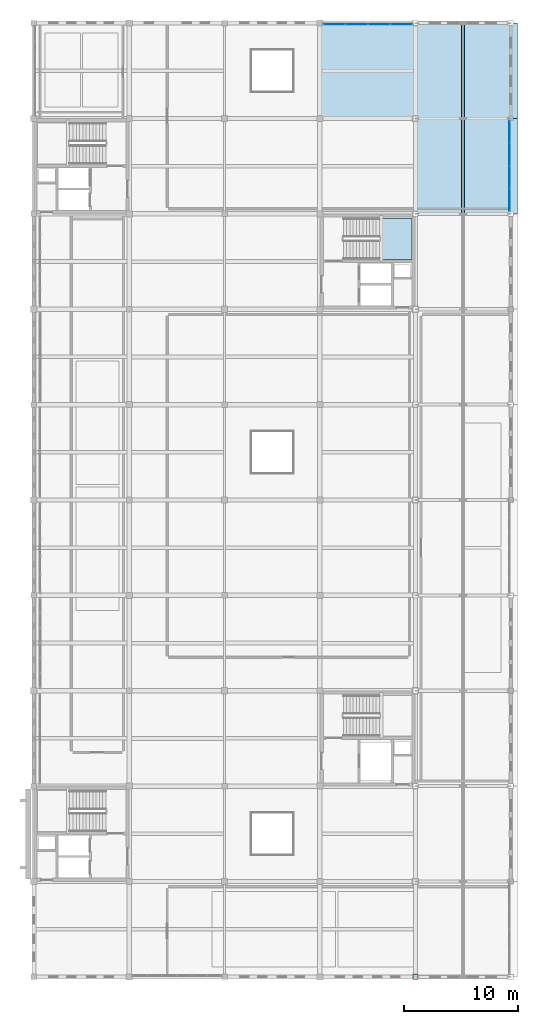
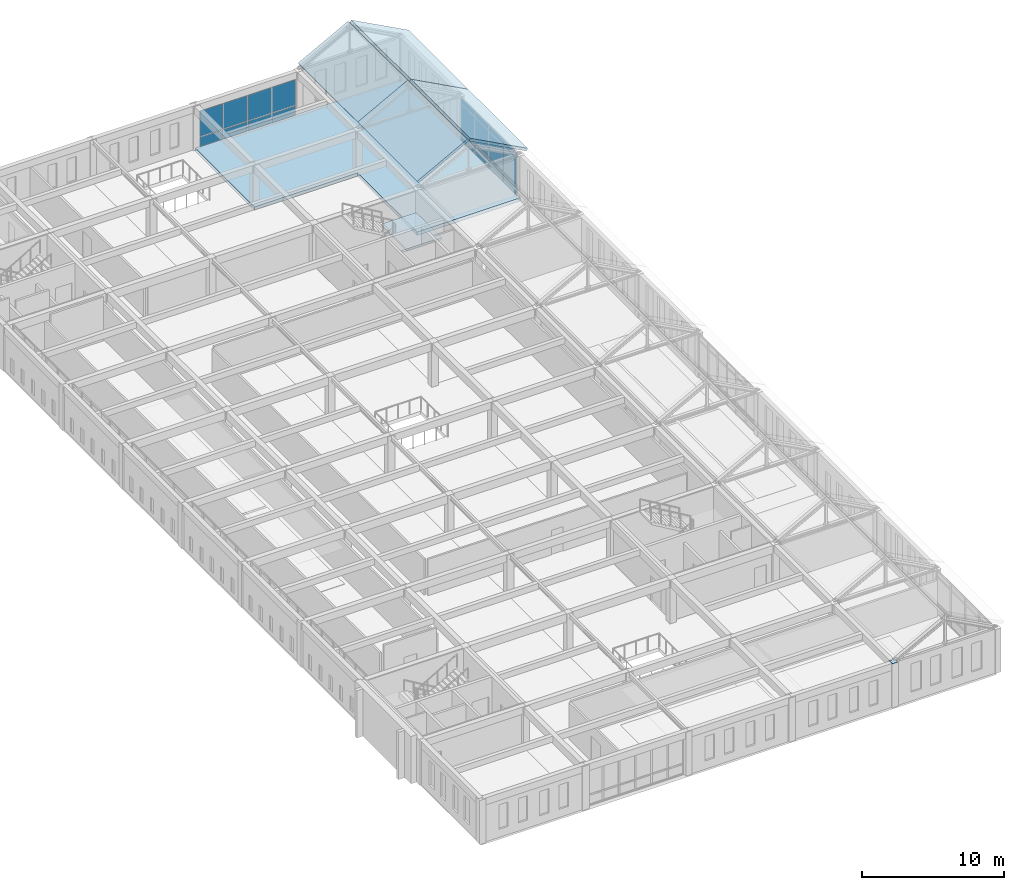
# One storey, part 22 of 36: 21 plates, 6 slabs, 3 elements without a shape of their own.
"""IFC4 building model written with IfcOpenShell, lengths in metres."""

from ifc_helpers import new_model, si_unit, direction, frame, origin, origin_2d, place, context, subcontext, project, spatial, polyline, rectangle, outline, extrude, material, layer, layer_set, type_object, element, aggregate, save


model = new_model("IFC4")

# Units and contexts
model_context = context("Model", 3, precision=1e-05, world=origin(), true_north=direction((0.0, 1.0)))
body_context = subcontext(model_context, "Body", "Model", "MODEL_VIEW")
ifc_project = project(units=[si_unit("LENGTHUNIT", "METRE"), si_unit("AREAUNIT", "SQUARE_METRE"), si_unit("VOLUMEUNIT", "CUBIC_METRE"), si_unit("PLANEANGLEUNIT", "RADIAN"), si_unit("MASSUNIT", "GRAM", prefix="KILO")], contexts=[model_context])

# Site, building, storey
site_placement = place(None, origin())
site = spatial("IfcSite", under=ifc_project, at=site_placement, CompositionType="ELEMENT")
building_placement = place(site_placement, origin())
building = spatial("IfcBuilding", under=site, at=building_placement, Name="Kveldsbrygga Polytechnic", CompositionType="ELEMENT")
storey_placement = place(building_placement, frame((0.0, 0.0, 22.10009765625)))
storey = spatial("IfcBuildingStorey", under=building, at=storey_placement, Name="L05", CompositionType="ELEMENT", Elevation=22.10009765625)

# Plate
ifc_material_1 = material(Name="Steel S355", Category="steel")
ifc_layer_1 = layer(ifc_material_1, 0.030029296875)
ifc_layer_set_1 = layer_set([ifc_layer_1], Name="Steel S355")
plate_type_1 = type_object("IfcPlateType", Name="CAP-BEAR-450", PredefinedType="SHEET", material=ifc_layer_set_1)
plate_1_placement = place(storey_placement, frame((159.60009765625, 16.800048828125, 3.75), z_axis=(0.0, 0.0, 1.0), x_axis=(1.0, 0.0, 0.0)))
element("IfcPlate", 1, at=plate_1_placement, inside=storey, type_object=plate_type_1, Name="Truss Bearing Plate V4E6-T01-A", PredefinedType="SHEET", context=body_context, shape_type="SweptSolid", body=[
    extrude(rectangle(XDim=0.449951171875, YDim=0.449951171875, at=origin_2d()), origin(), (0.0, 0.0, 1.0), 0.030029296875),
])

# Curtain wall, plates
ifc_material_2 = material(Name="Anodised aluminium AW-6060", Category="aluminium")
ifc_layer_2 = layer(ifc_material_2, 0.199951171875)
ifc_layer_set_2 = layer_set([ifc_layer_2], Name="Anodised aluminium AW-6060")
curtain_wall_type = type_object("IfcCurtainWallType", Name="CW-LANC-E", PredefinedType="USERDEFINED", material=ifc_layer_set_2)
curtain_wall_1_placement = place(storey_placement, origin())
curtain_wall_1 = element("IfcCurtainWall", 2, at=curtain_wall_1_placement, inside=storey, type_object=curtain_wall_type, Name="Curtain Wall CW-L05-X-18-12", ObjectType="UNITISED CURTAIN WALL", PredefinedType="USERDEFINED")
ifc_material_3 = material(Name="Insulated triple low-E glass", Category="glass")
ifc_layer_3 = layer(ifc_material_3, 0.0419921875)
ifc_layer_set_3 = layer_set([ifc_layer_3], Name="Insulated triple low-E glass")
plate_type_2 = type_object("IfcPlateType", Name="CW-PAN-VIS42", PredefinedType="CURTAIN_PANEL", material=ifc_layer_set_3)
plate_2_placement = place(storey_placement, frame((152.463134765625, 100.699951171875, 0.059814453125), z_axis=(0.0, 0.0, 1.0), x_axis=(1.0, 0.0, 0.0)))
plate_2 = element("IfcPlate", 3, at=plate_2_placement, type_object=plate_type_2, Name="CW-05 panel 1.1", PredefinedType="CURTAIN_PANEL", context=body_context, shape_type="SweptSolid", body=[
    extrude(rectangle(XDim=1.88623046875, YDim=0.0419921875, at=origin_2d()), origin(), (0.0, 0.0, 1.0), 0.81005859375),
])
plate_3_placement = place(storey_placement, frame((152.463134765625, 100.699951171875, 0.929931640625), z_axis=(0.0, 0.0, 1.0), x_axis=(1.0, 0.0, 0.0)))
plate_3 = element("IfcPlate", 4, at=plate_3_placement, type_object=plate_type_2, Name="CW-05 panel 1.2", PredefinedType="CURTAIN_PANEL", context=body_context, shape_type="SweptSolid", body=[
    extrude(rectangle(XDim=1.88623046875, YDim=0.0419921875, at=origin_2d()), origin(), (0.0, 0.0, 1.0), 2.18994140625),
])
plate_4_placement = place(storey_placement, frame((154.42431640625, 100.699951171875, 0.059814453125), z_axis=(0.0, 0.0, 1.0), x_axis=(1.0, 0.0, 0.0)))
plate_4 = element("IfcPlate", 5, at=plate_4_placement, type_object=plate_type_2, Name="CW-05 panel 2.1", PredefinedType="CURTAIN_PANEL", context=body_context, shape_type="SweptSolid", body=[
    extrude(rectangle(XDim=1.916259765625, YDim=0.0419921875, at=origin_2d()), origin(), (0.0, 0.0, 1.0), 0.81005859375),
])
plate_5_placement = place(storey_placement, frame((154.42431640625, 100.699951171875, 0.929931640625), z_axis=(0.0, 0.0, 1.0), x_axis=(1.0, 0.0, 0.0)))
plate_5 = element("IfcPlate", 6, at=plate_5_placement, type_object=plate_type_2, Name="CW-05 panel 2.2", PredefinedType="CURTAIN_PANEL", context=body_context, shape_type="SweptSolid", body=[
    extrude(rectangle(XDim=1.916259765625, YDim=0.0419921875, at=origin_2d()), origin(), (0.0, 0.0, 1.0), 2.18994140625),
])
plate_6_placement = place(storey_placement, frame((156.400634765625, 100.699951171875, 0.059814453125), z_axis=(0.0, 0.0, 1.0), x_axis=(1.0, 0.0, 0.0)))
plate_6 = element("IfcPlate", 7, at=plate_6_placement, type_object=plate_type_2, Name="CW-05 panel 3.1", PredefinedType="CURTAIN_PANEL", context=body_context, shape_type="SweptSolid", body=[
    extrude(rectangle(XDim=1.916259765625, YDim=0.0419921875, at=origin_2d()), origin(), (0.0, 0.0, 1.0), 0.81005859375),
])
plate_7_placement = place(storey_placement, frame((156.400634765625, 100.699951171875, 0.929931640625), z_axis=(0.0, 0.0, 1.0), x_axis=(1.0, 0.0, 0.0)))
plate_7 = element("IfcPlate", 8, at=plate_7_placement, type_object=plate_type_2, Name="CW-05 panel 3.2", PredefinedType="CURTAIN_PANEL", context=body_context, shape_type="SweptSolid", body=[
    extrude(rectangle(XDim=1.916259765625, YDim=0.0419921875, at=origin_2d()), origin(), (0.0, 0.0, 1.0), 2.18994140625),
])
plate_8_placement = place(storey_placement, frame((158.36181640625, 100.699951171875, 0.059814453125), z_axis=(0.0, 0.0, 1.0), x_axis=(1.0, 0.0, 0.0)))
plate_8 = element("IfcPlate", 9, at=plate_8_placement, type_object=plate_type_2, Name="CW-05 panel 4.1", PredefinedType="CURTAIN_PANEL", context=body_context, shape_type="SweptSolid", body=[
    extrude(rectangle(XDim=1.88623046875, YDim=0.0419921875, at=origin_2d()), origin(), (0.0, 0.0, 1.0), 0.81005859375),
])
plate_9_placement = place(storey_placement, frame((158.36181640625, 100.699951171875, 0.929931640625), z_axis=(0.0, 0.0, 1.0), x_axis=(1.0, 0.0, 0.0)))
plate_9 = element("IfcPlate", 10, at=plate_9_placement, type_object=plate_type_2, Name="CW-05 panel 4.2", PredefinedType="CURTAIN_PANEL", context=body_context, shape_type="SweptSolid", body=[
    extrude(rectangle(XDim=1.88623046875, YDim=0.0419921875, at=origin_2d()), origin(), (0.0, 0.0, 1.0), 2.18994140625),
])
aggregate(curtain_wall_1, [plate_2, plate_3, plate_4, plate_5, plate_6, plate_7, plate_8, plate_9])

curtain_wall_2_placement = place(storey_placement, origin())
curtain_wall_2 = element("IfcCurtainWall", 11, at=curtain_wall_2_placement, inside=storey, type_object=curtain_wall_type, Name="Curtain Wall CW-L05-Y-20-10", ObjectType="UNITISED CURTAIN WALL", PredefinedType="USERDEFINED")
plate_10_placement = place(storey_placement, frame((167.89990234375, 85.2255859375, 0.059814453125), z_axis=(0.0, 0.0, 1.0), x_axis=(0.0, 1.0, 0.0)))
plate_10 = element("IfcPlate", 12, at=plate_10_placement, type_object=plate_type_2, Name="CW-05 panel 1.1", PredefinedType="CURTAIN_PANEL", context=body_context, shape_type="SweptSolid", body=[
    extrude(rectangle(XDim=1.9111328125, YDim=0.0419921875, at=origin_2d()), origin(), (0.0, 0.0, 1.0), 0.81005859375),
])
plate_11_placement = place(storey_placement, frame((167.89990234375, 85.2255859375, 0.929931640625), z_axis=(0.0, 0.0, 1.0), x_axis=(0.0, 1.0, 0.0)))
plate_11 = element("IfcPlate", 13, at=plate_11_placement, type_object=plate_type_2, Name="CW-05 panel 1.2", PredefinedType="CURTAIN_PANEL", context=body_context, shape_type="SweptSolid", body=[
    extrude(rectangle(XDim=1.9111328125, YDim=0.0419921875, at=origin_2d()), origin(), (0.0, 0.0, 1.0), 2.27001953125),
])
plate_12_placement = place(storey_placement, frame((167.89990234375, 85.2255859375, 3.260009765625), z_axis=(0.0, 0.0, 1.0), x_axis=(0.0, 1.0, 0.0)))
plate_12 = element("IfcPlate", 14, at=plate_12_placement, type_object=plate_type_2, Name="CW-05 panel 1.3", PredefinedType="CURTAIN_PANEL", context=body_context, shape_type="SweptSolid", body=[
    extrude(rectangle(XDim=1.9111328125, YDim=0.0419921875, at=origin_2d()), origin(), (0.0, 0.0, 1.0), 0.4599609375),
])
plate_13_placement = place(storey_placement, frame((167.89990234375, 87.2119140625, 0.059814453125), z_axis=(0.0, 0.0, 1.0), x_axis=(0.0, 1.0, 0.0)))
plate_13 = element("IfcPlate", 15, at=plate_13_placement, type_object=plate_type_2, Name="CW-05 panel 2.1", PredefinedType="CURTAIN_PANEL", context=body_context, shape_type="SweptSolid", body=[
    extrude(rectangle(XDim=1.941162109375, YDim=0.0419921875, at=origin_2d()), origin(), (0.0, 0.0, 1.0), 0.81005859375),
])
plate_14_placement = place(storey_placement, frame((167.89990234375, 87.2119140625, 0.929931640625), z_axis=(0.0, 0.0, 1.0), x_axis=(0.0, 1.0, 0.0)))
plate_14 = element("IfcPlate", 16, at=plate_14_placement, type_object=plate_type_2, Name="CW-05 panel 2.2", PredefinedType="CURTAIN_PANEL", context=body_context, shape_type="SweptSolid", body=[
    extrude(rectangle(XDim=1.941162109375, YDim=0.0419921875, at=origin_2d()), origin(), (0.0, 0.0, 1.0), 2.27001953125),
])
plate_15_placement = place(storey_placement, frame((167.89990234375, 87.2119140625, 3.260009765625), z_axis=(0.0, 0.0, 1.0), x_axis=(0.0, 1.0, 0.0)))
plate_15 = element("IfcPlate", 17, at=plate_15_placement, type_object=plate_type_2, Name="CW-05 panel 2.3", PredefinedType="CURTAIN_PANEL", context=body_context, shape_type="SweptSolid", body=[
    extrude(rectangle(XDim=1.941162109375, YDim=0.0419921875, at=origin_2d()), origin(), (0.0, 0.0, 1.0), 0.4599609375),
])
plate_16_placement = place(storey_placement, frame((167.89990234375, 89.213134765625, 0.059814453125), z_axis=(0.0, 0.0, 1.0), x_axis=(0.0, 1.0, 0.0)))
plate_16 = element("IfcPlate", 18, at=plate_16_placement, type_object=plate_type_2, Name="CW-05 panel 3.1", PredefinedType="CURTAIN_PANEL", context=body_context, shape_type="SweptSolid", body=[
    extrude(rectangle(XDim=1.941162109375, YDim=0.0419921875, at=origin_2d()), origin(), (0.0, 0.0, 1.0), 0.81005859375),
])
plate_17_placement = place(storey_placement, frame((167.89990234375, 89.213134765625, 0.929931640625), z_axis=(0.0, 0.0, 1.0), x_axis=(0.0, 1.0, 0.0)))
plate_17 = element("IfcPlate", 19, at=plate_17_placement, type_object=plate_type_2, Name="CW-05 panel 3.2", PredefinedType="CURTAIN_PANEL", context=body_context, shape_type="SweptSolid", body=[
    extrude(rectangle(XDim=1.941162109375, YDim=0.0419921875, at=origin_2d()), origin(), (0.0, 0.0, 1.0), 2.27001953125),
])
plate_18_placement = place(storey_placement, frame((167.89990234375, 89.213134765625, 3.260009765625), z_axis=(0.0, 0.0, 1.0), x_axis=(0.0, 1.0, 0.0)))
plate_18 = element("IfcPlate", 20, at=plate_18_placement, type_object=plate_type_2, Name="CW-05 panel 3.3", PredefinedType="CURTAIN_PANEL", context=body_context, shape_type="SweptSolid", body=[
    extrude(rectangle(XDim=1.941162109375, YDim=0.0419921875, at=origin_2d()), origin(), (0.0, 0.0, 1.0), 0.4599609375),
])
plate_19_placement = place(storey_placement, frame((167.89990234375, 91.199462890625, 0.059814453125), z_axis=(0.0, 0.0, 1.0), x_axis=(0.0, 1.0, 0.0)))
plate_19 = element("IfcPlate", 21, at=plate_19_placement, type_object=plate_type_2, Name="CW-05 panel 4.1", PredefinedType="CURTAIN_PANEL", context=body_context, shape_type="SweptSolid", body=[
    extrude(rectangle(XDim=1.9111328125, YDim=0.0419921875, at=origin_2d()), origin(), (0.0, 0.0, 1.0), 0.81005859375),
])
plate_20_placement = place(storey_placement, frame((167.89990234375, 91.199462890625, 0.929931640625), z_axis=(0.0, 0.0, 1.0), x_axis=(0.0, 1.0, 0.0)))
plate_20 = element("IfcPlate", 22, at=plate_20_placement, type_object=plate_type_2, Name="CW-05 panel 4.2", PredefinedType="CURTAIN_PANEL", context=body_context, shape_type="SweptSolid", body=[
    extrude(rectangle(XDim=1.9111328125, YDim=0.0419921875, at=origin_2d()), origin(), (0.0, 0.0, 1.0), 2.27001953125),
])
plate_21_placement = place(storey_placement, frame((167.89990234375, 91.199462890625, 3.260009765625), z_axis=(0.0, 0.0, 1.0), x_axis=(0.0, 1.0, 0.0)))
plate_21 = element("IfcPlate", 23, at=plate_21_placement, type_object=plate_type_2, Name="CW-05 panel 4.3", PredefinedType="CURTAIN_PANEL", context=body_context, shape_type="SweptSolid", body=[
    extrude(rectangle(XDim=1.9111328125, YDim=0.0419921875, at=origin_2d()), origin(), (0.0, 0.0, 1.0), 0.4599609375),
])
aggregate(curtain_wall_2, [plate_10, plate_11, plate_12, plate_13, plate_14, plate_15, plate_16, plate_17, plate_18, plate_19, plate_20, plate_21])

# Slab
ifc_material_4 = material(Name="Concrete C35/45", Category="concrete")
ifc_layer_4 = layer(ifc_material_4, 0.300048828125)
ifc_layer_set_4 = layer_set([ifc_layer_4], Name="Concrete C35/45")
slab_type_1 = type_object("IfcSlabType", Name="SLB-LAB-300", PredefinedType="FLOOR", material=ifc_layer_set_4)
slab_1_placement = place(storey_placement, frame((0.0, 0.0, -0.300048828125)))
element("IfcSlab", 24, at=slab_1_placement, inside=storey, type_object=slab_type_1, Name="Slab SLB-L05-V4-Z9-2", PredefinedType="FLOOR", context=body_context, shape_type="SweptSolid", body=[
    extrude(outline(polyline([(168.0, 84.0), (159.60009765625, 84.0), (159.60009765625, 92.39990234375), (151.199951171875, 92.39990234375), (151.199951171875, 100.800048828125), (159.60009765625, 100.800048828125), (168.0, 100.800048828125), (168.0, 92.39990234375), (168.0, 84.0)])), origin(), (0.0, 0.0, 1.0), 0.300048828125),
])

# Stair, slab
stair_type = type_object("IfcStairType", Name="STR-CORE-408", PredefinedType="HALF_TURN_STAIR", material=ifc_material_4)
stair_placement = place(storey_placement, origin())
stair = element("IfcStair", 25, at=stair_placement, inside=storey, type_object=stair_type, Name="L05 Core C4 Escape Stair ST-4", PredefinedType="HALF_TURN_STAIR")
ifc_layer_5 = layer(ifc_material_4, 0.199951171875)
ifc_layer_set_5 = layer_set([ifc_layer_5], Name="Concrete C35/45")
slab_type_2 = type_object("IfcSlabType", Name="SLB-LANDING-200", PredefinedType="LANDING", material=ifc_layer_set_5)
slab_2_placement = place(storey_placement, frame((0.0, 0.0, 1.83984375)))
slab_2 = element("IfcSlab", 26, at=slab_2_placement, type_object=slab_type_2, Name="ST-4 landing 1", PredefinedType="LANDING", context=body_context, shape_type="SweptSolid", body=[
    extrude(outline(polyline([(156.43994140625, 80.0), (159.300048828125, 80.0), (159.300048828125, 83.60009765625), (156.43994140625, 83.60009765625), (156.43994140625, 80.0)])), origin(), (0.0, 0.0, 1.0), 0.199951171875),
])
aggregate(stair, [slab_2])

# Slabs
ifc_layer_6 = layer(ifc_material_4, 0.219970703125)
ifc_layer_set_6 = layer_set([ifc_layer_6], Name="Concrete C35/45")
slab_type_3 = type_object("IfcSlabType", Name="SLB-ROOF-220", PredefinedType="ROOF", material=ifc_layer_set_6)
slab_3_placement = place(storey_placement, frame((159.60009765625, 84.0, 4.37548828125), z_axis=(-0.472231668725, 0.0, 0.881474475554), x_axis=(0.881474475554, 0.0, 0.472231668725)))
element("IfcSlab", 27, at=slab_3_placement, inside=storey, type_object=slab_type_3, Name="Pitched Roof Slab V4E6-RSLB-9-1", PredefinedType="ROOF", context=body_context, shape_type="SweptSolid", body=[
    extrude(outline(polyline([(0.0, 0.0), (4.623988382434193, 0.0), (4.623988382434193, 8.39990234375), (0.0, 8.39990234375), (0.0, 0.0)])), origin(), (0.0, 0.0, -1.0), 0.219970703125),
])
slab_4_placement = place(storey_placement, frame((163.923828125, 84.0, 6.55908203125), z_axis=(0.472218858339, 0.0, 0.881481338333), x_axis=(0.881481338333, 0.0, -0.472218858339)))
element("IfcSlab", 28, at=slab_4_placement, inside=storey, type_object=slab_type_3, Name="Pitched Roof Slab V4E6-RSLB-9-2", PredefinedType="ROOF", context=body_context, shape_type="SweptSolid", body=[
    extrude(outline(polyline([(0.0, 0.0), (5.305012514610163, 0.0), (5.305012514610163, 8.39990234375), (0.0, 8.39990234375), (0.0, 0.0)])), origin(), (0.0, 0.0, -1.0), 0.219970703125),
])
slab_5_placement = place(storey_placement, frame((159.60009765625, 92.39990234375, 4.37548828125), z_axis=(-0.472231668725, 0.0, 0.881474475554), x_axis=(0.881474475554, 0.0, 0.472231668725)))
element("IfcSlab", 29, at=slab_5_placement, inside=storey, type_object=slab_type_3, Name="Pitched Roof Slab V4E6-RSLB-10-1", PredefinedType="ROOF", context=body_context, shape_type="SweptSolid", body=[
    extrude(outline(polyline([(0.0, 0.0), (4.623988382434193, 0.0), (4.623988382434193, 8.400146484375), (0.0, 8.400146484375), (0.0, 0.0)])), origin(), (0.0, 0.0, -1.0), 0.219970703125),
])
slab_6_placement = place(storey_placement, frame((163.923828125, 92.39990234375, 6.55908203125), z_axis=(0.472218858339, 0.0, 0.881481338333), x_axis=(0.881481338333, 0.0, -0.472218858339)))
element("IfcSlab", 30, at=slab_6_placement, inside=storey, type_object=slab_type_3, Name="Pitched Roof Slab V4E6-RSLB-10-2", PredefinedType="ROOF", context=body_context, shape_type="SweptSolid", body=[
    extrude(outline(polyline([(0.0, 0.0), (5.305012514610163, 0.0), (5.305012514610163, 8.400146484375), (0.0, 8.400146484375), (0.0, 0.0)])), origin(), (0.0, 0.0, -1.0), 0.219970703125),
])

save(model, "model.ifc")
